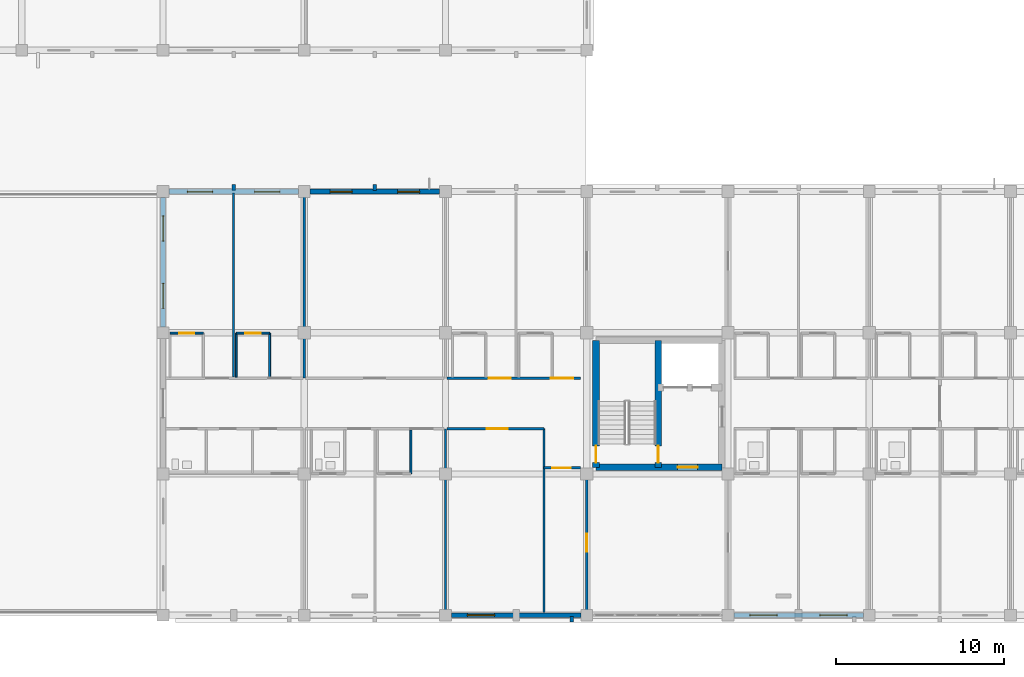
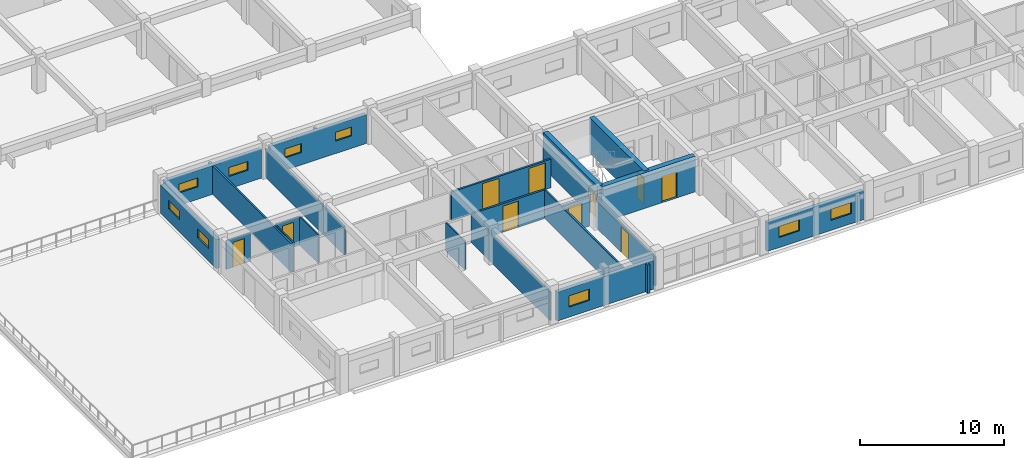
# One storey, part 110 of 148: 24 walls, 10 doors, 9 windows, 19 openings.
"""IFC4 building model written with IfcOpenShell, lengths in metres."""

from ifc_helpers import new_model, si_unit, direction, frame, frame_2d, origin, place, context, subcontext, project, spatial, rectangle, extrude, material, layer, layer_set, type_object, element, fill, save


model = new_model("IFC4")

# Units and contexts
model_context = context("Model", 3, precision=1e-05, world=origin(), true_north=direction((0.0, 1.0)))
body_context = subcontext(model_context, "Body", "Model", "MODEL_VIEW")
ifc_project = project(units=[si_unit("LENGTHUNIT", "METRE"), si_unit("AREAUNIT", "SQUARE_METRE"), si_unit("VOLUMEUNIT", "CUBIC_METRE"), si_unit("PLANEANGLEUNIT", "RADIAN"), si_unit("MASSUNIT", "GRAM", prefix="KILO")], contexts=[model_context])

# Site, building, storey
site_placement = place(None, origin())
site = spatial("IfcSite", under=ifc_project, at=site_placement, CompositionType="ELEMENT")
building_placement = place(site_placement, origin())
building = spatial("IfcBuilding", under=site, at=building_placement, Name="Trelvath General Hospital", CompositionType="ELEMENT")
storey_placement = place(building_placement, frame((0.0, 0.0, 12.89990234375)))
storey = spatial("IfcBuildingStorey", under=building, at=storey_placement, Name="L03", CompositionType="ELEMENT", Elevation=12.89990234375)

# Walls
ifc_material_1 = material(Name="Precast concrete C40/50", Category="concrete")
ifc_layer_1 = layer(ifc_material_1, 0.199951171875)
ifc_layer_set_1 = layer_set([ifc_layer_1], Name="Precast concrete C40/50")
wall_type_1 = type_object("IfcWallType", Name="BriseSoleilRib 200", PredefinedType="ELEMENTEDWALL", material=ifc_layer_set_1)
for number, where, z_axis, x_axis, name in (
    (1, (21.0, 25.27490234375, 0.0), (0.0, 0.0, 1.0), (0.0, 1.0, 0.0), "Precast Concrete Brise-Soleil Rib Fin L03-235"),
    (2, (29.39990234375, 25.27490234375, 0.0), (0.0, 0.0, 1.0), (0.0, 1.0, 0.0), "Precast Concrete Brise-Soleil Rib Fin L03-241"),
    (3, (41.115234375, -0.074951171875, 0.0), (0.0, 0.0, 1.0), (0.0, -1.0, 0.0), "Precast Concrete Brise-Soleil Rib Fin L03-246"),
):
    element("IfcWall", number, at=place(storey_placement, frame(where, z_axis=z_axis, x_axis=x_axis)), inside=storey, type_object=wall_type_1, Name=name, PredefinedType="ELEMENTEDWALL", context=body_context, shape_type="SweptSolid", body=[
        extrude(rectangle(XDim=0.340087890625, YDim=0.199951171875, at=frame_2d((0.169921875, 0.0))), origin(), (0.0, 0.0, 1.0), 2.420166015625),
    ])

# Wall, opening, door
ifc_material_2 = material(Name="Gypsum acoustic steel-stud partition", Category="steel")
ifc_layer_2 = layer(ifc_material_2, 0.14990234375)
ifc_layer_set_2 = layer_set([ifc_layer_2], Name="Gypsum acoustic steel-stud partition")
wall_type_2 = type_object("IfcWallType", Name="ClinicalPartition 150", PredefinedType="PARTITIONING", material=ifc_layer_set_2)
wall_1_placement = place(storey_placement, frame((33.679931640625, 11.10009765625, 0.0), z_axis=(0.0, 0.0, 1.0), x_axis=(1.0, 0.0, 0.0)))
wall_1 = element("IfcWall", 4, at=wall_1_placement, inside=storey, type_object=wall_type_2, Name="Nurse Station Partition L03-1080", PredefinedType="PARTITIONING", context=body_context, shape_type="SweptSolid", body=[
    extrude(rectangle(XDim=5.780029296875, YDim=0.14990234375, at=frame_2d((2.89013671875, 0.0))), origin(), (0.0, 0.0, 1.0), 2.420166015625),
])
opening_1_placement = place(wall_1_placement, frame((2.3798828125, 0.0, 0.0)))
opening_1 = element("IfcOpeningElement", 5, at=opening_1_placement, cuts=wall_1, Name="Opening D-3-0826", PredefinedType="OPENING", context=body_context, shape_type="SweptSolid", body=[
    extrude(rectangle(XDim=1.25, YDim=2.199951171875, at=frame_2d((0.625, 1.10009765625))), frame((0.0, 0.0849609375, 0.0), z_axis=(0.0, -1.0, 0.0), x_axis=(1.0, 0.0, 0.0)), (0.0, 0.0, 1.0), 0.169921875),
])
ifc_material_3 = material(Name="Acoustic hospital timber leaf", Category="wood")
door_type_1 = type_object("IfcDoorType", Name="Door Treatment 1250x2200", OperationType="NOTDEFINED", PredefinedType="DOOR", material=ifc_material_3)
door_1_placement = place(opening_1_placement, origin())
door_1 = element("IfcDoor", 6, at=door_1_placement, inside=storey, type_object=door_type_1, Name="Nurse Station Door L03-826", OperationType="SINGLE_SWING_LEFT", OverallHeight=2.199951171875, OverallWidth=1.25, PredefinedType="DOOR", context=body_context, shape_type="SweptSolid", body=[
    extrude(rectangle(XDim=1.25, YDim=2.199951171875, at=frame_2d((0.625, 1.10009765625))), frame((0.0, 0.02490234375, 0.0), z_axis=(0.0, -1.0, 0.0), x_axis=(1.0, 0.0, 0.0)), (0.0, 0.0, 1.0), 0.050048828125),
])
fill(opening_1, door_1)

wall_2_placement = place(storey_placement, frame((39.4599609375, 8.760009765625, 0.0), z_axis=(0.0, 0.0, 1.0), x_axis=(1.0, 0.0, 0.0)))
wall_2 = element("IfcWall", 7, at=wall_2_placement, inside=storey, type_object=wall_type_2, Name="Clean Utility Partition L03-1082", PredefinedType="PARTITIONING", context=body_context, shape_type="SweptSolid", body=[
    extrude(rectangle(XDim=2.179931640625, YDim=0.14990234375, at=frame_2d((1.08984375, 0.0))), origin(), (0.0, 0.0, 1.0), 2.420166015625),
])
opening_2_placement = place(wall_2_placement, frame((0.5, 0.0, 0.0)))
opening_2 = element("IfcOpeningElement", 8, at=opening_2_placement, cuts=wall_2, Name="Opening D-3-0827", PredefinedType="OPENING", context=body_context, shape_type="SweptSolid", body=[
    extrude(rectangle(XDim=1.080078125, YDim=2.14990234375, at=frame_2d((0.5400390625, 1.074951171875))), frame((0.0, 0.0849609375, 0.0), z_axis=(0.0, -1.0, 0.0), x_axis=(1.0, 0.0, 0.0)), (0.0, 0.0, 1.0), 0.169921875),
])
ifc_material_4 = material(Name="Acoustic hospital timber leaf", Category="wood")
door_type_2 = type_object("IfcDoorType", Name="Door CleanSupply 1080x2150", OperationType="NOTDEFINED", PredefinedType="DOOR", material=ifc_material_4)
door_2_placement = place(opening_2_placement, origin())
door_2 = element("IfcDoor", 9, at=door_2_placement, inside=storey, type_object=door_type_2, Name="Clean Utility Door L03-827", OperationType="SINGLE_SWING_RIGHT", OverallHeight=2.14990234375, OverallWidth=1.080078125, PredefinedType="DOOR", context=body_context, shape_type="SweptSolid", body=[
    extrude(rectangle(XDim=1.080078125, YDim=2.14990234375, at=frame_2d((0.5400390625, 1.074951171875))), frame((0.0, 0.02490234375, 0.0), z_axis=(0.0, -1.0, 0.0), x_axis=(1.0, 0.0, 0.0)), (0.0, 0.0, 1.0), 0.050048828125),
])
fill(opening_2, door_2)

# Wall, openings, doors
wall_3_placement = place(storey_placement, frame((41.639892578125, 14.10009765625, 0.0), z_axis=(0.0, 0.0, 1.0), x_axis=(-1.0, 0.0, 0.0)))
wall_3 = element("IfcWall", 10, at=wall_3_placement, inside=storey, type_object=wall_type_2, Name="Corridor Partition N L03-1083", PredefinedType="PARTITIONING", context=body_context, shape_type="SweptSolid", body=[
    extrude(rectangle(XDim=7.9599609375, YDim=0.14990234375, at=frame_2d((3.97998046875, 0.0))), origin(), (0.0, 0.0, 1.0), 2.420166015625),
])
opening_3_placement = place(wall_3_placement, frame((0.449951171875, 0.0, 0.0)))
opening_3 = element("IfcOpeningElement", 11, at=opening_3_placement, cuts=wall_3, Name="Opening D-3-0828", PredefinedType="OPENING", context=body_context, shape_type="SweptSolid", body=[
    extrude(rectangle(XDim=1.320068359375, YDim=2.25, at=frame_2d((0.66015625, 1.125))), frame((0.0, 0.0849609375, 0.0), z_axis=(0.0, -1.0, 0.0), x_axis=(1.0, 0.0, 0.0)), (0.0, 0.0, 1.0), 0.169921875),
])
opening_4_placement = place(wall_3_placement, frame((4.14990234375, 0.0, 0.0)))
opening_4 = element("IfcOpeningElement", 12, at=opening_4_placement, cuts=wall_3, Name="Opening D-3-0829", PredefinedType="OPENING", context=body_context, shape_type="SweptSolid", body=[
    extrude(rectangle(XDim=1.320068359375, YDim=2.25, at=frame_2d((0.66015625, 1.125))), frame((0.0, 0.0849609375, 0.0), z_axis=(0.0, -1.0, 0.0), x_axis=(1.0, 0.0, 0.0)), (0.0, 0.0, 1.0), 0.169921875),
])
ifc_material_5 = material(Name="Maternity bed-leaf timber door", Category="wood")
door_type_3 = type_object("IfcDoorType", Name="Door PatientMaternity 1320x2250", OperationType="NOTDEFINED", PredefinedType="DOOR", material=ifc_material_5)
door_3_placement = place(opening_3_placement, origin())
door_3 = element("IfcDoor", 13, at=door_3_placement, inside=storey, type_object=door_type_3, Name="Patient Room Door N L03-828", OperationType="SINGLE_SWING_LEFT", OverallHeight=2.25, OverallWidth=1.320068359375, PredefinedType="DOOR", context=body_context, shape_type="SweptSolid", body=[
    extrude(rectangle(XDim=1.320068359375, YDim=2.25, at=frame_2d((0.66015625, 1.125))), frame((0.0, 0.02490234375, 0.0), z_axis=(0.0, -1.0, 0.0), x_axis=(1.0, 0.0, 0.0)), (0.0, 0.0, 1.0), 0.050048828125),
])
fill(opening_3, door_3)
door_4_placement = place(opening_4_placement, origin())
door_4 = element("IfcDoor", 14, at=door_4_placement, inside=storey, type_object=door_type_3, Name="Patient Room Door N L03-829", OperationType="SINGLE_SWING_LEFT", OverallHeight=2.25, OverallWidth=1.320068359375, PredefinedType="DOOR", context=body_context, shape_type="SweptSolid", body=[
    extrude(rectangle(XDim=1.320068359375, YDim=2.25, at=frame_2d((0.66015625, 1.125))), frame((0.0, 0.02490234375, 0.0), z_axis=(0.0, -1.0, 0.0), x_axis=(1.0, 0.0, 0.0)), (0.0, 0.0, 1.0), 0.050048828125),
])
fill(opening_4, door_4)

# Wall, opening, door
ifc_material_6 = material(Name="Concrete C40/50", Category="concrete")
ifc_layer_3 = layer(ifc_material_6, 0.39990234375)
ifc_layer_set_3 = layer_set([ifc_layer_3], Name="Concrete C40/50")
wall_type_3 = type_object("IfcWallType", Name="CoreShearWall 400", PredefinedType="SHEAR", material=ifc_layer_set_3)
wall_4_placement = place(storey_placement, frame((42.550048828125, 8.800048828125, 0.0), z_axis=(0.0, 0.0, 1.0), x_axis=(1.0, 0.0, 0.0)))
wall_4 = element("IfcWall", 15, at=wall_4_placement, inside=storey, type_object=wall_type_3, Name="Core Shear Wall C4 S L03", PredefinedType="SHEAR", context=body_context, shape_type="SweptSolid", body=[
    extrude(rectangle(XDim=7.5, YDim=0.39990234375, at=frame_2d((3.75, 0.0))), origin(), (0.0, 0.0, 1.0), 3.02001953125),
])
opening_5_placement = place(wall_4_placement, frame((4.85009765625, 0.0, 0.0)))
opening_5 = element("IfcOpeningElement", 16, at=opening_5_placement, cuts=wall_4, Name="Opening FD-LS43", PredefinedType="OPENING", context=body_context, shape_type="SweptSolid", body=[
    extrude(rectangle(XDim=1.199951171875, YDim=2.199951171875, at=frame_2d((0.60009765625, 1.10009765625))), frame((0.0, 0.2099609375, 0.0), z_axis=(0.0, -1.0, 0.0), x_axis=(1.0, 0.0, 0.0)), (0.0, 0.0, 1.0), 0.419921875),
])
ifc_material_7 = material(Name="Fire-rated steel door", Category="steel")
door_type_4 = type_object("IfcDoorType", Name="Door FireLobby 1200x2200", OperationType="NOTDEFINED", PredefinedType="DOOR", material=ifc_material_7)
door_5_placement = place(opening_5_placement, origin())
door_5 = element("IfcDoor", 17, at=door_5_placement, inside=storey, type_object=door_type_4, Name="Fire Lobby South Door C4 L03", OperationType="SINGLE_SWING_LEFT", OverallHeight=2.199951171875, OverallWidth=1.199951171875, PredefinedType="DOOR", context=body_context, shape_type="SweptSolid", body=[
    extrude(rectangle(XDim=1.199951171875, YDim=2.199951171875, at=frame_2d((0.60009765625, 1.10009765625))), frame((0.0, 0.02490234375, 0.0), z_axis=(0.0, -1.0, 0.0), x_axis=(1.0, 0.0, 0.0)), (0.0, 0.0, 1.0), 0.050048828125),
])
fill(opening_5, door_5)

wall_5_placement = place(storey_placement, frame((42.550048828125, 8.800048828125, 0.0), z_axis=(0.0, 0.0, 1.0), x_axis=(0.0, 1.0, 0.0)))
wall_5 = element("IfcWall", 18, at=wall_5_placement, inside=storey, type_object=wall_type_3, Name="Core Shear Wall C4 W L03", PredefinedType="SHEAR", context=body_context, shape_type="SweptSolid", body=[
    extrude(rectangle(XDim=7.550048828125, YDim=0.39990234375, at=frame_2d((3.77490234375, 0.0))), origin(), (0.0, 0.0, 1.0), 3.02001953125),
])
opening_6_placement = place(wall_5_placement, frame((0.280029296875, 0.0, 0.0)))
opening_6 = element("IfcOpeningElement", 19, at=opening_6_placement, cuts=wall_5, Name="Opening FD-SW43", PredefinedType="OPENING", context=body_context, shape_type="SweptSolid", body=[
    extrude(rectangle(XDim=1.0, YDim=2.14990234375, at=frame_2d((0.5, 1.074951171875))), frame((0.0, 0.2099609375, 0.0), z_axis=(0.0, -1.0, 0.0), x_axis=(1.0, 0.0, 0.0)), (0.0, 0.0, 1.0), 0.419921875),
])
ifc_material_8 = material(Name="Fire-rated steel door", Category="steel")
door_type_5 = type_object("IfcDoorType", Name="Door FireStair 1100x2150", OperationType="NOTDEFINED", PredefinedType="DOOR", material=ifc_material_8)
door_6_placement = place(opening_6_placement, origin())
door_6 = element("IfcDoor", 20, at=door_6_placement, inside=storey, type_object=door_type_5, Name="West Corridor Stair Door ST4 L03", OperationType="SINGLE_SWING_RIGHT", OverallHeight=2.14990234375, OverallWidth=1.0, PredefinedType="DOOR", context=body_context, shape_type="SweptSolid", body=[
    extrude(rectangle(XDim=1.0, YDim=2.14990234375, at=frame_2d((0.5, 1.074951171875))), frame((0.0, 0.02490234375, 0.0), z_axis=(0.0, -1.0, 0.0), x_axis=(1.0, 0.0, 0.0)), (0.0, 0.0, 1.0), 0.050048828125),
])
fill(opening_6, door_6)

wall_6_placement = place(storey_placement, frame((46.25, 8.800048828125, 0.0), z_axis=(0.0, 0.0, 1.0), x_axis=(0.0, 1.0, 0.0)))
wall_6 = element("IfcWall", 21, at=wall_6_placement, inside=storey, type_object=wall_type_3, Name="Core Shear Wall C4 SPINE L03", PredefinedType="SHEAR", context=body_context, shape_type="SweptSolid", body=[
    extrude(rectangle(XDim=7.550048828125, YDim=0.39990234375, at=frame_2d((3.77490234375, 0.0))), origin(), (0.0, 0.0, 1.0), 3.02001953125),
])
opening_7_placement = place(wall_6_placement, frame((0.280029296875, 0.0, 0.0)))
opening_7 = element("IfcOpeningElement", 22, at=opening_7_placement, cuts=wall_6, Name="Opening FD-S43", PredefinedType="OPENING", context=body_context, shape_type="SweptSolid", body=[
    extrude(rectangle(XDim=1.0, YDim=2.14990234375, at=frame_2d((0.5, 1.074951171875))), frame((0.0, 0.2099609375, 0.0), z_axis=(0.0, -1.0, 0.0), x_axis=(1.0, 0.0, 0.0)), (0.0, 0.0, 1.0), 0.419921875),
])
door_7_placement = place(opening_7_placement, origin())
door_7 = element("IfcDoor", 23, at=door_7_placement, inside=storey, type_object=door_type_5, Name="Exit Stair Door ST4 L03", OperationType="SINGLE_SWING_LEFT", OverallHeight=2.14990234375, OverallWidth=1.0, PredefinedType="DOOR", context=body_context, shape_type="SweptSolid", body=[
    extrude(rectangle(XDim=1.0, YDim=2.14990234375, at=frame_2d((0.5, 1.074951171875))), frame((0.0, 0.02490234375, 0.0), z_axis=(0.0, -1.0, 0.0), x_axis=(1.0, 0.0, 0.0)), (0.0, 0.0, 1.0), 0.050048828125),
])
fill(opening_7, door_7)

ifc_material_9 = material(Name="Moisture-resistant tile partition")
ifc_layer_4 = layer(ifc_material_9, 0.110107421875)
ifc_layer_set_4 = layer_set([ifc_layer_4], Name="Moisture-resistant tile partition")
wall_type_4 = type_object("IfcWallType", Name="EnSuiteWetWall 110", PredefinedType="PARTITIONING", material=ifc_layer_set_4)
wall_7_placement = place(storey_placement, frame((17.219970703125, 16.780029296875, 0.0), z_axis=(0.0, 0.0, 1.0), x_axis=(1.0, 0.0, 0.0)))
wall_7 = element("IfcWall", 24, at=wall_7_placement, inside=storey, type_object=wall_type_4, Name="En-Suite Bathroom N Partition L03-1062", PredefinedType="PARTITIONING", context=body_context, shape_type="SweptSolid", body=[
    extrude(rectangle(XDim=1.97998046875, YDim=0.110107421875, at=frame_2d((0.989990234375, 0.0))), origin(), (0.0, 0.0, 1.0), 2.420166015625),
])
opening_8_placement = place(wall_7_placement, frame((0.5400390625, 0.0, 0.0)))
opening_8 = element("IfcOpeningElement", 25, at=opening_8_placement, cuts=wall_7, Name="Opening D-3-0819", PredefinedType="OPENING", context=body_context, shape_type="SweptSolid", body=[
    extrude(rectangle(XDim=0.89990234375, YDim=2.10009765625, at=frame_2d((0.449951171875, 1.050048828125))), frame((0.0, 0.06494140625, 0.0), z_axis=(0.0, -1.0, 0.0), x_axis=(1.0, 0.0, 0.0)), (0.0, 0.0, 1.0), 0.130126953125),
])
ifc_material_10 = material(Name="Moisture-sealed timber leaf", Category="wood")
door_type_6 = type_object("IfcDoorType", Name="Door EnSuite 900x2100", OperationType="NOTDEFINED", PredefinedType="DOOR", material=ifc_material_10)
door_8_placement = place(opening_8_placement, origin())
door_8 = element("IfcDoor", 26, at=door_8_placement, inside=storey, type_object=door_type_6, Name="En-Suite Bathroom N Door L03-819", OperationType="SINGLE_SWING_RIGHT", OverallHeight=2.10009765625, OverallWidth=0.89990234375, PredefinedType="DOOR", context=body_context, shape_type="SweptSolid", body=[
    extrude(rectangle(XDim=0.89990234375, YDim=2.10009765625, at=frame_2d((0.449951171875, 1.050048828125))), frame((0.0, 0.02490234375, 0.0), z_axis=(0.0, -1.0, 0.0), x_axis=(1.0, 0.0, 0.0)), (0.0, 0.0, 1.0), 0.050048828125),
])
fill(opening_8, door_8)

# Walls
for number, where, z_axis, x_axis, name in (
    (27, (21.159912109375, 14.169921875, 0.0), (0.0, 0.0, 1.0), (0.0, 1.0, 0.0), "En-Suite W Wall N L03-1063"),
    (28, (23.139892578125, 14.169921875, 0.0), (0.0, 0.0, 1.0), (0.0, 1.0, 0.0), "En-Suite E Wall N L03-1064"),
):
    element("IfcWall", number, at=place(storey_placement, frame(where, z_axis=z_axis, x_axis=x_axis)), inside=storey, type_object=wall_type_4, Name=name, PredefinedType="PARTITIONING", context=body_context, shape_type="SweptSolid", body=[
        extrude(rectangle(XDim=2.610107421875, YDim=0.110107421875, at=frame_2d((1.30517578125, 0.0))), origin(), (0.0, 0.0, 1.0), 2.420166015625),
    ])

# Wall, opening, door
wall_8_placement = place(storey_placement, frame((21.159912109375, 16.780029296875, 0.0), z_axis=(0.0, 0.0, 1.0), x_axis=(1.0, 0.0, 0.0)))
wall_8 = element("IfcWall", 29, at=wall_8_placement, inside=storey, type_object=wall_type_4, Name="En-Suite Bathroom N Partition L03-1065", PredefinedType="PARTITIONING", context=body_context, shape_type="SweptSolid", body=[
    extrude(rectangle(XDim=1.97998046875, YDim=0.110107421875, at=frame_2d((0.989990234375, 0.0))), origin(), (0.0, 0.0, 1.0), 2.420166015625),
])
opening_9_placement = place(wall_8_placement, frame((0.5400390625, 0.0, 0.0)))
opening_9 = element("IfcOpeningElement", 30, at=opening_9_placement, cuts=wall_8, Name="Opening D-3-0820", PredefinedType="OPENING", context=body_context, shape_type="SweptSolid", body=[
    extrude(rectangle(XDim=0.89990234375, YDim=2.10009765625, at=frame_2d((0.449951171875, 1.050048828125))), frame((0.0, 0.06494140625, 0.0), z_axis=(0.0, -1.0, 0.0), x_axis=(1.0, 0.0, 0.0)), (0.0, 0.0, 1.0), 0.130126953125),
])
door_9_placement = place(opening_9_placement, origin())
door_9 = element("IfcDoor", 31, at=door_9_placement, inside=storey, type_object=door_type_6, Name="En-Suite Bathroom N Door L03-820", OperationType="SINGLE_SWING_LEFT", OverallHeight=2.10009765625, OverallWidth=0.89990234375, PredefinedType="DOOR", context=body_context, shape_type="SweptSolid", body=[
    extrude(rectangle(XDim=0.89990234375, YDim=2.10009765625, at=frame_2d((0.449951171875, 1.050048828125))), frame((0.0, 0.02490234375, 0.0), z_axis=(0.0, -1.0, 0.0), x_axis=(1.0, 0.0, 0.0)), (0.0, 0.0, 1.0), 0.050048828125),
])
fill(opening_9, door_9)

# Wall
wall_9_placement = place(storey_placement, frame((31.5400390625, 8.419921875, 0.0), z_axis=(0.0, 0.0, 1.0), x_axis=(0.0, 1.0, 0.0)))
element("IfcWall", 32, at=wall_9_placement, inside=storey, type_object=wall_type_4, Name="En-Suite E Wall L03-1074", PredefinedType="PARTITIONING", context=body_context, shape_type="SweptSolid", body=[
    extrude(rectangle(XDim=2.610107421875, YDim=0.110107421875, at=frame_2d((1.30517578125, 0.0))), origin(), (0.0, 0.0, 1.0), 2.420166015625),
])

# Wall, openings, windows
ifc_material_11 = material(Name="Concrete C35/45", Category="concrete")
ifc_layer_5 = layer(ifc_material_11, 0.2900390625)
ifc_layer_set_5 = layer_set([ifc_layer_5], Name="Concrete C35/45")
wall_type_5 = type_object("IfcWallType", Name="ExtBushHammeredWall 290", PredefinedType="SOLIDWALL", material=ifc_layer_set_5)
wall_10_placement = place(storey_placement, frame((17.14501953125, 25.199951171875, 0.0), z_axis=(0.0, 0.0, 1.0), x_axis=(1.0, 0.0, 0.0)))
wall_10 = element("IfcWall", 33, at=wall_10_placement, inside=storey, type_object=wall_type_5, Name="Exterior Concrete Wall L03-339", PredefinedType="SOLIDWALL", context=body_context, shape_type="SweptSolid", body=[
    extrude(rectangle(XDim=7.7099609375, YDim=0.2900390625, at=frame_2d((3.85498046875, 0.0))), origin(), (0.0, 0.0, 1.0), 2.440185546875),
])
opening_10_placement = place(wall_10_placement, frame((1.100341796875, 0.0, 1.050048828125)))
opening_10 = element("IfcOpeningElement", 34, at=opening_10_placement, cuts=wall_10, Name="Opening WN-3-549", PredefinedType="OPENING", context=body_context, shape_type="SweptSolid", body=[
    extrude(rectangle(XDim=1.5, YDim=0.75, at=frame_2d((0.75, 0.375))), frame((0.0, 0.155029296875, 0.0), z_axis=(0.0, -1.0, 0.0), x_axis=(1.0, 0.0, 0.0)), (0.0, 0.0, 1.0), 0.31005859375),
])
opening_11_placement = place(wall_10_placement, frame((5.109619140625, 0.0, 1.050048828125)))
opening_11 = element("IfcOpeningElement", 35, at=opening_11_placement, cuts=wall_10, Name="Opening WN-3-550", PredefinedType="OPENING", context=body_context, shape_type="SweptSolid", body=[
    extrude(rectangle(XDim=1.5, YDim=0.75, at=frame_2d((0.75, 0.375))), frame((0.0, 0.155029296875, 0.0), z_axis=(0.0, -1.0, 0.0), x_axis=(1.0, 0.0, 0.0)), (0.0, 0.0, 1.0), 0.31005859375),
])
ifc_material_12 = material(Name="Low-E laminated glass", Category="glass")
window_type_1 = type_object("IfcWindowType", Name="Window InterstitialVent 1500x750", PartitioningType="DOUBLE_PANEL_HORIZONTAL", PredefinedType="WINDOW", material=ifc_material_12)
window_1_placement = place(opening_10_placement, origin())
window_1 = element("IfcWindow", 36, at=window_1_placement, inside=storey, type_object=window_type_1, Name="Solar Reveal Window L03-549", OverallHeight=0.75, OverallWidth=1.5, PartitioningType="SINGLE_PANEL", PredefinedType="WINDOW", context=body_context, shape_type="SweptSolid", body=[
    extrude(rectangle(XDim=1.5, YDim=0.75, at=frame_2d((0.75, 0.375))), frame((0.0, 0.030029296875, 0.0), z_axis=(0.0, -1.0, 0.0), x_axis=(1.0, 0.0, 0.0)), (0.0, 0.0, 1.0), 0.06005859375),
])
fill(opening_10, window_1)
window_2_placement = place(opening_11_placement, origin())
window_2 = element("IfcWindow", 37, at=window_2_placement, inside=storey, type_object=window_type_1, Name="Solar Reveal Window L03-550", OverallHeight=0.75, OverallWidth=1.5, PartitioningType="SINGLE_PANEL", PredefinedType="WINDOW", context=body_context, shape_type="SweptSolid", body=[
    extrude(rectangle(XDim=1.5, YDim=0.75, at=frame_2d((0.75, 0.375))), frame((0.0, 0.030029296875, 0.0), z_axis=(0.0, -1.0, 0.0), x_axis=(1.0, 0.0, 0.0)), (0.0, 0.0, 1.0), 0.06005859375),
])
fill(opening_11, window_2)

wall_11_placement = place(storey_placement, frame((16.800048828125, 17.14501953125, 0.0), z_axis=(0.0, 0.0, 1.0), x_axis=(0.0, 1.0, 0.0)))
wall_11 = element("IfcWall", 38, at=wall_11_placement, inside=storey, type_object=wall_type_5, Name="Exterior Concrete Wall L03-340", PredefinedType="SOLIDWALL", context=body_context, shape_type="SweptSolid", body=[
    extrude(rectangle(XDim=7.7099609375, YDim=0.2900390625, at=frame_2d((3.85498046875, 0.0))), origin(), (0.0, 0.0, 1.0), 2.440185546875),
])
opening_12_placement = place(wall_11_placement, frame((1.100341796875, 0.0, 1.050048828125)))
opening_12 = element("IfcOpeningElement", 39, at=opening_12_placement, cuts=wall_11, Name="Opening WN-3-551", PredefinedType="OPENING", context=body_context, shape_type="SweptSolid", body=[
    extrude(rectangle(XDim=1.5, YDim=0.75, at=frame_2d((0.75, 0.375))), frame((0.0, 0.155029296875, 0.0), z_axis=(0.0, -1.0, 0.0), x_axis=(1.0, 0.0, 0.0)), (0.0, 0.0, 1.0), 0.31005859375),
])
opening_13_placement = place(wall_11_placement, frame((5.109619140625, 0.0, 1.050048828125)))
opening_13 = element("IfcOpeningElement", 40, at=opening_13_placement, cuts=wall_11, Name="Opening WN-3-552", PredefinedType="OPENING", context=body_context, shape_type="SweptSolid", body=[
    extrude(rectangle(XDim=1.5, YDim=0.75, at=frame_2d((0.75, 0.375))), frame((0.0, 0.155029296875, 0.0), z_axis=(0.0, -1.0, 0.0), x_axis=(1.0, 0.0, 0.0)), (0.0, 0.0, 1.0), 0.31005859375),
])
window_3_placement = place(opening_12_placement, origin())
window_3 = element("IfcWindow", 41, at=window_3_placement, inside=storey, type_object=window_type_1, Name="Solar Reveal Window L03-551", OverallHeight=0.75, OverallWidth=1.5, PartitioningType="SINGLE_PANEL", PredefinedType="WINDOW", context=body_context, shape_type="SweptSolid", body=[
    extrude(rectangle(XDim=1.5, YDim=0.75, at=frame_2d((0.75, 0.375))), frame((0.0, 0.030029296875, 0.0), z_axis=(0.0, -1.0, 0.0), x_axis=(1.0, 0.0, 0.0)), (0.0, 0.0, 1.0), 0.06005859375),
])
fill(opening_12, window_3)
window_4_placement = place(opening_13_placement, origin())
window_4 = element("IfcWindow", 42, at=window_4_placement, inside=storey, type_object=window_type_1, Name="Solar Reveal Window L03-552", OverallHeight=0.75, OverallWidth=1.5, PartitioningType="SINGLE_PANEL", PredefinedType="WINDOW", context=body_context, shape_type="SweptSolid", body=[
    extrude(rectangle(XDim=1.5, YDim=0.75, at=frame_2d((0.75, 0.375))), frame((0.0, 0.030029296875, 0.0), z_axis=(0.0, -1.0, 0.0), x_axis=(1.0, 0.0, 0.0)), (0.0, 0.0, 1.0), 0.06005859375),
])
fill(opening_13, window_4)

wall_12_placement = place(storey_placement, frame((25.544921875, 25.199951171875, 0.0), z_axis=(0.0, 0.0, 1.0), x_axis=(1.0, 0.0, 0.0)))
wall_12 = element("IfcWall", 43, at=wall_12_placement, inside=storey, type_object=wall_type_5, Name="Exterior Concrete Wall L03-349", PredefinedType="SOLIDWALL", context=body_context, shape_type="SweptSolid", body=[
    extrude(rectangle(XDim=7.7099609375, YDim=0.2900390625, at=frame_2d((3.85498046875, 0.0))), origin(), (0.0, 0.0, 1.0), 2.440185546875),
])
opening_14_placement = place(wall_12_placement, frame((1.200439453125, 0.0, 1.050048828125)))
opening_14 = element("IfcOpeningElement", 44, at=opening_14_placement, cuts=wall_12, Name="Opening WN-3-567", PredefinedType="OPENING", context=body_context, shape_type="SweptSolid", body=[
    extrude(rectangle(XDim=1.300048828125, YDim=0.75, at=frame_2d((0.64990234375, 0.375))), frame((0.0, 0.155029296875, 0.0), z_axis=(0.0, -1.0, 0.0), x_axis=(1.0, 0.0, 0.0)), (0.0, 0.0, 1.0), 0.31005859375),
])
opening_15_placement = place(wall_12_placement, frame((5.209716796875, 0.0, 1.050048828125)))
opening_15 = element("IfcOpeningElement", 45, at=opening_15_placement, cuts=wall_12, Name="Opening WN-3-568", PredefinedType="OPENING", context=body_context, shape_type="SweptSolid", body=[
    extrude(rectangle(XDim=1.300048828125, YDim=0.75, at=frame_2d((0.64990234375, 0.375))), frame((0.0, 0.155029296875, 0.0), z_axis=(0.0, -1.0, 0.0), x_axis=(1.0, 0.0, 0.0)), (0.0, 0.0, 1.0), 0.31005859375),
])
ifc_material_13 = material(Name="Low-E laminated glass", Category="glass")
window_type_2 = type_object("IfcWindowType", Name="Window InterstitialVent 1300x750", PartitioningType="DOUBLE_PANEL_HORIZONTAL", PredefinedType="WINDOW", material=ifc_material_13)
window_5_placement = place(opening_14_placement, origin())
window_5 = element("IfcWindow", 46, at=window_5_placement, inside=storey, type_object=window_type_2, Name="Solar Reveal Window L03-567", OverallHeight=0.75, OverallWidth=1.300048828125, PartitioningType="SINGLE_PANEL", PredefinedType="WINDOW", context=body_context, shape_type="SweptSolid", body=[
    extrude(rectangle(XDim=1.300048828125, YDim=0.75, at=frame_2d((0.64990234375, 0.375))), frame((0.0, 0.030029296875, 0.0), z_axis=(0.0, -1.0, 0.0), x_axis=(1.0, 0.0, 0.0)), (0.0, 0.0, 1.0), 0.06005859375),
])
fill(opening_14, window_5)
window_6_placement = place(opening_15_placement, origin())
window_6 = element("IfcWindow", 47, at=window_6_placement, inside=storey, type_object=window_type_2, Name="Solar Reveal Window L03-568", OverallHeight=0.75, OverallWidth=1.300048828125, PartitioningType="SINGLE_PANEL", PredefinedType="WINDOW", context=body_context, shape_type="SweptSolid", body=[
    extrude(rectangle(XDim=1.300048828125, YDim=0.75, at=frame_2d((0.64990234375, 0.375))), frame((0.0, 0.030029296875, 0.0), z_axis=(0.0, -1.0, 0.0), x_axis=(1.0, 0.0, 0.0)), (0.0, 0.0, 1.0), 0.06005859375),
])
fill(opening_15, window_6)

# Wall, opening, window
wall_13_placement = place(storey_placement, frame((41.655029296875, 0.0, 0.0), z_axis=(0.0, 0.0, 1.0), x_axis=(-1.0, 0.0, 0.0)))
wall_13 = element("IfcWall", 48, at=wall_13_placement, inside=storey, type_object=wall_type_5, Name="Exterior Concrete Wall L03-354", PredefinedType="SOLIDWALL", context=body_context, shape_type="SweptSolid", body=[
    extrude(rectangle(XDim=7.7099609375, YDim=0.2900390625, at=frame_2d((3.85498046875, 0.0))), origin(), (0.0, 0.0, 1.0), 2.440185546875),
])
opening_16_placement = place(wall_13_placement, frame((5.126708984375, 0.0, 0.85009765625)))
opening_16 = element("IfcOpeningElement", 49, at=opening_16_placement, cuts=wall_13, Name="Opening WN-3-578", PredefinedType="OPENING", context=body_context, shape_type="SweptSolid", body=[
    extrude(rectangle(XDim=1.6201171875, YDim=0.949951171875, at=frame_2d((0.81005859375, 0.47509765625))), frame((0.0, 0.155029296875, 0.0), z_axis=(0.0, -1.0, 0.0), x_axis=(1.0, 0.0, 0.0)), (0.0, 0.0, 1.0), 0.31005859375),
])
ifc_material_14 = material(Name="Low-E laminated glass", Category="glass")
window_type_3 = type_object("IfcWindowType", Name="Window EmergencyClere 1620x950", PartitioningType="DOUBLE_PANEL_VERTICAL", PredefinedType="WINDOW", material=ifc_material_14)
window_7_placement = place(opening_16_placement, origin())
window_7 = element("IfcWindow", 50, at=window_7_placement, inside=storey, type_object=window_type_3, Name="Solar Reveal Window L03-578", OverallHeight=0.949951171875, OverallWidth=1.6201171875, PartitioningType="SINGLE_PANEL", PredefinedType="WINDOW", context=body_context, shape_type="SweptSolid", body=[
    extrude(rectangle(XDim=1.6201171875, YDim=0.949951171875, at=frame_2d((0.81005859375, 0.47509765625))), frame((0.0, 0.030029296875, 0.0), z_axis=(0.0, -1.0, 0.0), x_axis=(1.0, 0.0, 0.0)), (0.0, 0.0, 1.0), 0.06005859375),
])
fill(opening_16, window_7)

# Wall, openings, windows
wall_14_placement = place(storey_placement, frame((58.455078125, 0.0, 0.0), z_axis=(0.0, 0.0, 1.0), x_axis=(-1.0, 0.0, 0.0)))
wall_14 = element("IfcWall", 51, at=wall_14_placement, inside=storey, type_object=wall_type_5, Name="Exterior Concrete Wall L03-368", PredefinedType="SOLIDWALL", context=body_context, shape_type="SweptSolid", body=[
    extrude(rectangle(XDim=7.7099609375, YDim=0.2900390625, at=frame_2d((3.85498046875, 0.0))), origin(), (0.0, 0.0, 1.0), 2.440185546875),
])
opening_17_placement = place(wall_14_placement, frame((0.96337890625, 0.0, 0.85009765625)))
opening_17 = element("IfcOpeningElement", 52, at=opening_17_placement, cuts=wall_14, Name="Opening WN-3-605", PredefinedType="OPENING", context=body_context, shape_type="SweptSolid", body=[
    extrude(rectangle(XDim=1.6201171875, YDim=0.949951171875, at=frame_2d((0.81005859375, 0.47509765625))), frame((0.0, 0.155029296875, 0.0), z_axis=(0.0, -1.0, 0.0), x_axis=(1.0, 0.0, 0.0)), (0.0, 0.0, 1.0), 0.31005859375),
])
opening_18_placement = place(wall_14_placement, frame((5.126708984375, 0.0, 0.85009765625)))
opening_18 = element("IfcOpeningElement", 53, at=opening_18_placement, cuts=wall_14, Name="Opening WN-3-606", PredefinedType="OPENING", context=body_context, shape_type="SweptSolid", body=[
    extrude(rectangle(XDim=1.6201171875, YDim=0.949951171875, at=frame_2d((0.81005859375, 0.47509765625))), frame((0.0, 0.155029296875, 0.0), z_axis=(0.0, -1.0, 0.0), x_axis=(1.0, 0.0, 0.0)), (0.0, 0.0, 1.0), 0.31005859375),
])
window_8_placement = place(opening_17_placement, origin())
window_8 = element("IfcWindow", 54, at=window_8_placement, inside=storey, type_object=window_type_3, Name="Solar Reveal Window L03-605", OverallHeight=0.949951171875, OverallWidth=1.6201171875, PartitioningType="SINGLE_PANEL", PredefinedType="WINDOW", context=body_context, shape_type="SweptSolid", body=[
    extrude(rectangle(XDim=1.6201171875, YDim=0.949951171875, at=frame_2d((0.81005859375, 0.47509765625))), frame((0.0, 0.030029296875, 0.0), z_axis=(0.0, -1.0, 0.0), x_axis=(1.0, 0.0, 0.0)), (0.0, 0.0, 1.0), 0.06005859375),
])
fill(opening_17, window_8)
window_9_placement = place(opening_18_placement, origin())
window_9 = element("IfcWindow", 55, at=window_9_placement, inside=storey, type_object=window_type_3, Name="Solar Reveal Window L03-606", OverallHeight=0.949951171875, OverallWidth=1.6201171875, PartitioningType="SINGLE_PANEL", PredefinedType="WINDOW", context=body_context, shape_type="SweptSolid", body=[
    extrude(rectangle(XDim=1.6201171875, YDim=0.949951171875, at=frame_2d((0.81005859375, 0.47509765625))), frame((0.0, 0.030029296875, 0.0), z_axis=(0.0, -1.0, 0.0), x_axis=(1.0, 0.0, 0.0)), (0.0, 0.0, 1.0), 0.06005859375),
])
fill(opening_18, window_9)

# Walls
ifc_material_15 = material(Name="Gypsum acoustic steel-stud partition", Category="steel")
ifc_layer_6 = layer(ifc_material_15, 0.1298828125)
ifc_layer_set_6 = layer_set([ifc_layer_6], Name="Gypsum acoustic steel-stud partition")
wall_type_6 = type_object("IfcWallType", Name="WardPartition 130", PredefinedType="PARTITIONING", material=ifc_layer_set_6)
wall_15_placement = place(storey_placement, frame((21.0, 14.169921875, 0.0), z_axis=(0.0, 0.0, 1.0), x_axis=(0.0, 1.0, 0.0)))
element("IfcWall", 56, at=wall_15_placement, inside=storey, type_object=wall_type_6, Name="Room Dividing Partition N L03-1059", PredefinedType="PARTITIONING", context=body_context, shape_type="SweptSolid", body=[
    extrude(rectangle(XDim=10.93017578125, YDim=0.1298828125, at=frame_2d((5.465087890625, 0.0))), origin(), (0.0, 0.0, 1.0), 2.420166015625),
])
wall_16_placement = place(storey_placement, frame((25.199951171875, 14.1201171875, 0.0), z_axis=(0.0, 0.0, 1.0), x_axis=(0.0, 1.0, 0.0)))
element("IfcWall", 57, at=wall_16_placement, inside=storey, type_object=wall_type_6, Name="Inter-Bay Ward Partition N L03-1067", PredefinedType="PARTITIONING", context=body_context, shape_type="SweptSolid", body=[
    extrude(rectangle(XDim=10.93994140625, YDim=0.1298828125, at=frame_2d((5.469970703125, 0.0))), origin(), (0.0, 0.0, 1.0), 2.420166015625),
])
for number, where, z_axis, x_axis, name in (
    (58, (33.60009765625, 0.139892578125, 0.0), (0.0, 0.0, 1.0), (0.0, 1.0, 0.0), "Inter-Bay Ward Partition S L03-1078"),
    (59, (39.4599609375, 0.159912109375, 0.0), (0.0, 0.0, 1.0), (0.0, 1.0, 0.0), "Nurse Alcove Partition L03-1081"),
):
    element("IfcWall", number, at=place(storey_placement, frame(where, z_axis=z_axis, x_axis=x_axis)), inside=storey, type_object=wall_type_6, Name=name, PredefinedType="PARTITIONING", context=body_context, shape_type="SweptSolid", body=[
        extrude(rectangle(XDim=10.940185546875, YDim=0.1298828125, at=frame_2d((5.47021484375, 0.0))), origin(), (0.0, 0.0, 1.0), 2.420166015625),
    ])

# Wall, opening, door
wall_17_placement = place(storey_placement, frame((42.0, 0.139892578125, 0.0), z_axis=(0.0, 0.0, 1.0), x_axis=(0.0, 1.0, 0.0)))
wall_17 = element("IfcWall", 60, at=wall_17_placement, inside=storey, type_object=wall_type_6, Name="Inter-Bay Ward Partition S L03-1091", PredefinedType="PARTITIONING", context=body_context, shape_type="SweptSolid", body=[
    extrude(rectangle(XDim=8.210205078125, YDim=0.1298828125, at=frame_2d((4.10498046875, 0.0))), origin(), (0.0, 0.0, 1.0), 2.420166015625),
])
opening_19_placement = place(wall_17_placement, frame((3.639892578125, 0.0, 0.0)))
opening_19 = element("IfcOpeningElement", 61, at=opening_19_placement, cuts=wall_17, Name="Opening D-3-0832", PredefinedType="OPENING", context=body_context, shape_type="SweptSolid", body=[
    extrude(rectangle(XDim=1.080078125, YDim=2.14990234375, at=frame_2d((0.5400390625, 1.074951171875))), frame((0.0, 0.074951171875, 0.0), z_axis=(0.0, -1.0, 0.0), x_axis=(1.0, 0.0, 0.0)), (0.0, 0.0, 1.0), 0.14990234375),
])
door_10_placement = place(opening_19_placement, origin())
door_10 = element("IfcDoor", 62, at=door_10_placement, inside=storey, type_object=door_type_2, Name="Clean Supply Connecting Door L03-832", OperationType="SINGLE_SWING_RIGHT", OverallHeight=2.14990234375, OverallWidth=1.080078125, PredefinedType="DOOR", context=body_context, shape_type="SweptSolid", body=[
    extrude(rectangle(XDim=1.080078125, YDim=2.14990234375, at=frame_2d((0.5400390625, 1.074951171875))), frame((0.0, 0.02490234375, 0.0), z_axis=(0.0, -1.0, 0.0), x_axis=(1.0, 0.0, 0.0)), (0.0, 0.0, 1.0), 0.050048828125),
])
fill(opening_19, door_10)

save(model, "model.ifc")
